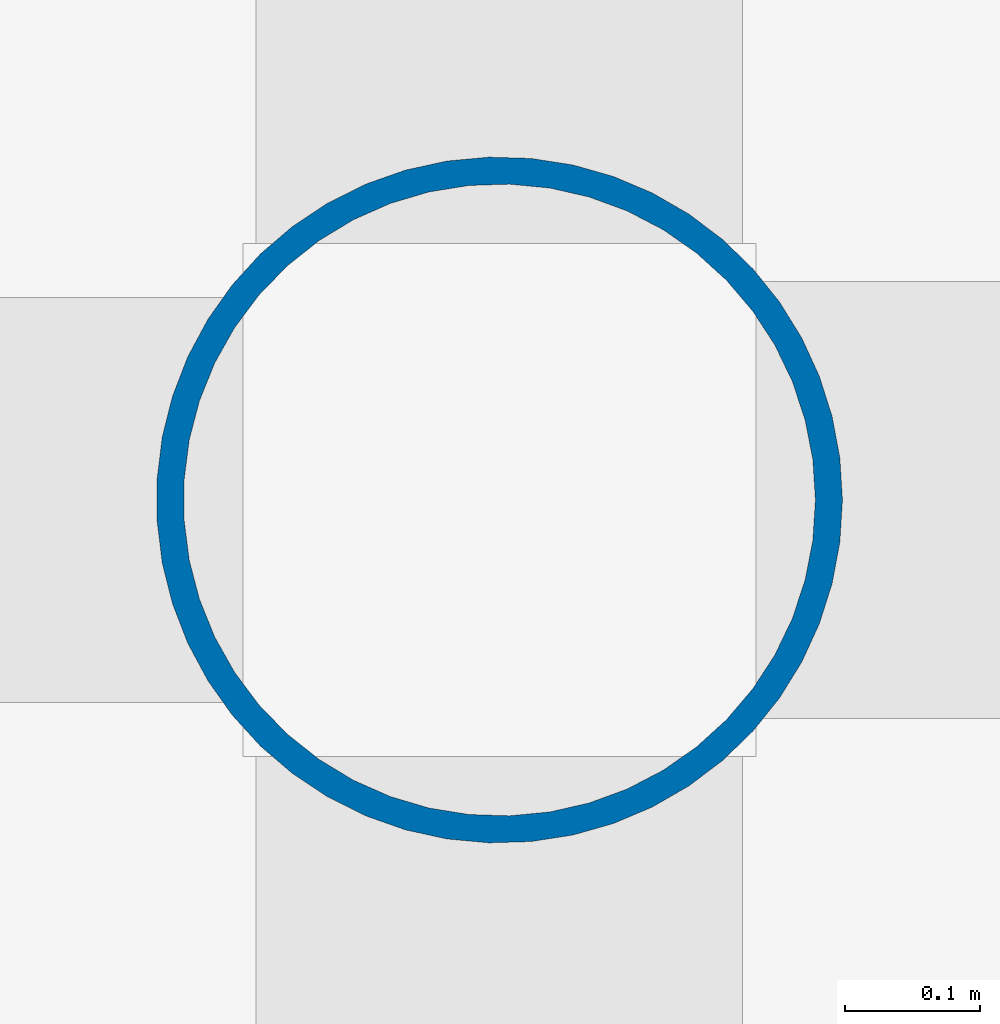
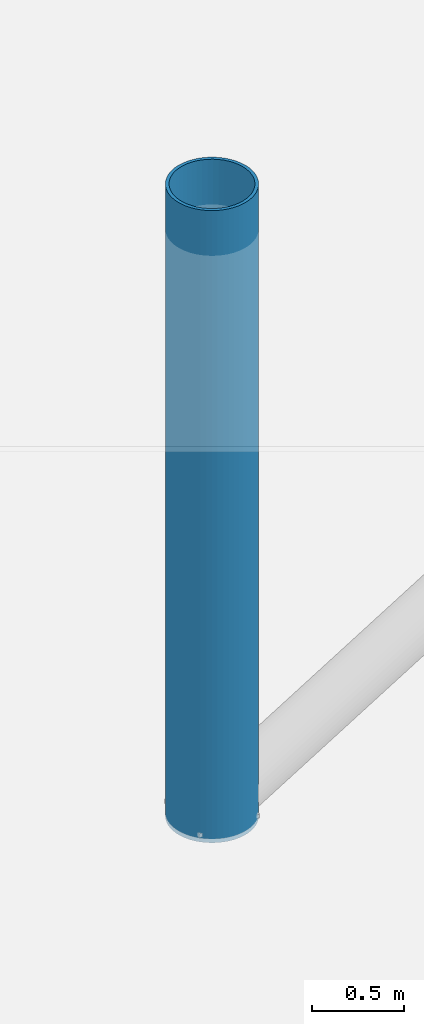
# One storey, part 12 of 157: 1 column.
"""IFC4 building model written with IfcOpenShell, lengths in metres."""

from ifc_helpers import new_model, si_unit, direction, frame, origin, origin_2d, place, context, subcontext, project, spatial, hollow_circle, extrude, material, material_profile, profile_set, type_object, element, save


model = new_model("IFC4")

# Units and contexts
model_context = context("Model", 3, precision=1e-05, world=origin(), true_north=direction((0.0, 1.0)))
body_context = subcontext(model_context, "Body", "Model", "MODEL_VIEW")
ifc_project = project(units=[si_unit("LENGTHUNIT", "METRE"), si_unit("AREAUNIT", "SQUARE_METRE"), si_unit("VOLUMEUNIT", "CUBIC_METRE"), si_unit("PLANEANGLEUNIT", "RADIAN"), si_unit("MASSUNIT", "GRAM", prefix="KILO")], contexts=[model_context])

# Site, building, storey
site_placement = place(None, origin())
site = spatial("IfcSite", under=ifc_project, at=site_placement, CompositionType="ELEMENT")
building_placement = place(site_placement, origin())
building = spatial("IfcBuilding", under=site, at=building_placement, Name="Brelvane Convention Centre", CompositionType="ELEMENT")
storey_placement = place(building_placement, frame((0.0, 0.0, 10.800048828125)))
storey = spatial("IfcBuildingStorey", under=building, at=storey_placement, Name="L02", CompositionType="ELEMENT", Elevation=10.800048828125)

# Column
ifc_material = material(Name="Steel E450 (450 MPa)", Category="steel")
ifc_material_profile = material_profile(ifc_material, hollow_circle(Radius=0.25390625, WallThickness=0.02001953125, at=origin_2d()), Name="CHS 508.0x20.0")
ifc_profile_set = profile_set([ifc_material_profile], Name="Steel E450 (450 MPa)")
column_type = type_object("IfcColumnType", Name="Steel Column C-ST2 (CHS 508.0x20.0)", PredefinedType="COLUMN", material=ifc_profile_set)
column_placement = place(storey_placement, frame((224.39990234375, 64.199951171875, 0.0), z_axis=(0.0, 0.0, 1.0), x_axis=(1.0, 0.0, 0.0)))
element("IfcColumn", 1, at=column_placement, inside=storey, type_object=column_type, Name="Column 23-G (L02)", PredefinedType="COLUMN", context=body_context, shape_type="SweptSolid", body=[
    extrude(hollow_circle(Radius=0.25390625, WallThickness=0.02001953125, at=origin_2d()), origin(), (0.0, 0.0, 1.0), 4.199951171875),
])

save(model, "model.ifc")
